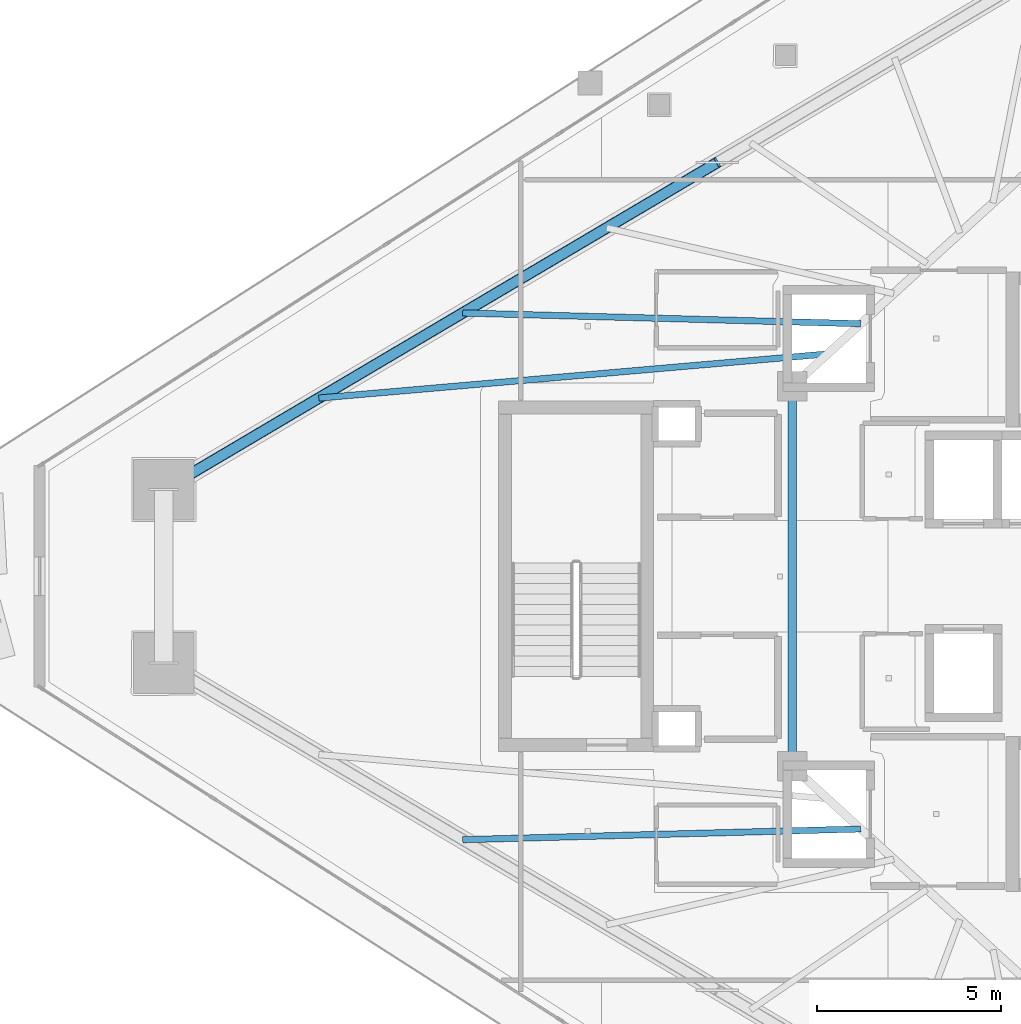
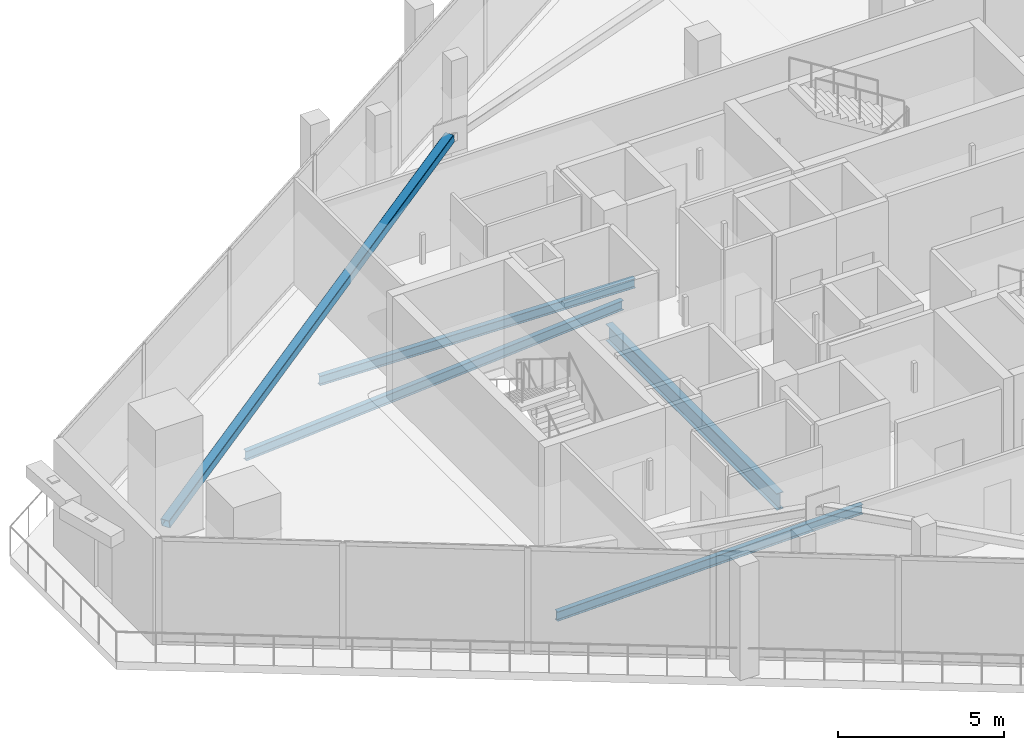
# One storey, part 9 of 34: 4 beams, 1 member.
"""IFC4 building model written with IfcOpenShell, lengths in metres."""

from ifc_helpers import new_model, si_unit, direction, frame, origin, origin_2d, place, context, subcontext, project, spatial, hollow_rectangle, i_section, extrude, material, material_profile, profile_set, type_object, element, save


model = new_model("IFC4")

# Units and contexts
model_context = context("Model", 3, precision=1e-05, world=origin(), true_north=direction((0.0, 1.0)))
body_context = subcontext(model_context, "Body", "Model", "MODEL_VIEW")
ifc_project = project(units=[si_unit("LENGTHUNIT", "METRE"), si_unit("AREAUNIT", "SQUARE_METRE"), si_unit("VOLUMEUNIT", "CUBIC_METRE"), si_unit("PLANEANGLEUNIT", "RADIAN"), si_unit("MASSUNIT", "GRAM", prefix="KILO")], contexts=[model_context])

# Site, building, storey
site_placement = place(None, origin())
site = spatial("IfcSite", under=ifc_project, at=site_placement, CompositionType="ELEMENT")
building_placement = place(site_placement, origin())
building = spatial("IfcBuilding", under=site, at=building_placement, Name="Qorvath Tower", CompositionType="ELEMENT")
storey_placement = place(building_placement, frame((0.0, 0.0, 276.60009765625)))
storey = spatial("IfcBuildingStorey", under=building, at=storey_placement, Name="L64", CompositionType="ELEMENT", Elevation=276.60009765625)

# Beams
ifc_material_1 = material(Name="Steel ASTM A992 Grade 50", Category="steel")
ifc_material_profile_1 = material_profile(ifc_material_1, i_section(OverallWidth=0.22998046875, OverallDepth=0.616943359375, WebThickness=0.01318359375, FlangeThickness=0.022216796875, FilletRadius=0.014892578125, at=origin_2d()), Name="W24x94")
ifc_profile_set_1 = profile_set([ifc_material_profile_1], Name="Steel ASTM A992 Grade 50")
beam_type_1 = type_object("IfcBeamType", Name="BM-FG6", PredefinedType="BEAM", material=ifc_profile_set_1)
beam_1_placement = place(storey_placement, frame((-30.5, -5.14990234375, -0.598388671875), z_axis=(0.0, 1.0, 0.0), x_axis=(-1.0, 0.0, 0.0)))
element("IfcBeam", 1, at=beam_1_placement, inside=storey, type_object=beam_type_1, Name="Core Ring Girder CC6-CC5 L64", PredefinedType="BEAM", context=body_context, shape_type="SweptSolid", body=[
    extrude(i_section(OverallWidth=0.22998046875, OverallDepth=0.616943359375, WebThickness=0.01318359375, FlangeThickness=0.022216796875, FilletRadius=0.014892578125, at=origin_2d()), origin(), (0.0, 0.0, 1.0), 10.2998046875),
])
ifc_material_2 = material(Name="Steel ASTM A992 Grade 50", Category="steel")
ifc_material_profile_2 = material_profile(ifc_material_2, i_section(OverallWidth=0.1708984375, OverallDepth=0.35107421875, WebThickness=0.0068359375, FlangeThickness=0.009765625, FilletRadius=0.010009765625, at=origin_2d()), Name="W14x30")
ifc_profile_set_2 = profile_set([ifc_material_profile_2], Name="Steel ASTM A992 Grade 50")
beam_type_2 = type_object("IfcBeamType", Name="BM-FJ4", PredefinedType="JOIST", material=ifc_profile_set_2)
beam_2_placement = place(storey_placement, frame((-29.533935546875, 6.031982421875, -0.465576171875), z_axis=(-0.996257895131, -0.086430355719, 0.0), x_axis=(0.086430355719, -0.996257895131, 0.0)))
element("IfcBeam", 2, at=beam_2_placement, inside=storey, type_object=beam_type_2, Name="Composite Floor Joist NW1 L64", PredefinedType="JOIST", context=body_context, shape_type="SweptSolid", body=[
    extrude(i_section(OverallWidth=0.1708984375, OverallDepth=0.35107421875, WebThickness=0.0068359375, FlangeThickness=0.009765625, FilletRadius=0.010009765625, at=origin_2d()), origin(), (0.0, 0.0, 1.0), 13.852294921875),
])
for number, where, z_axis, x_axis, name in (
    (3, (-28.636962890625, 6.85107421875, -0.465576171875), (-0.999635580213, 0.026994569327, 0.0), (-0.026994569327, -0.999635580213, 0.0), "Composite Floor Joist NW2 L64"),
    (4, (-28.636962890625, -6.85107421875, -0.465576171875), (-0.999635580213, -0.026994569327, 0.0), (0.026994569327, -0.999635580213, 0.0), "Composite Floor Joist SW2 L64"),
):
    element("IfcBeam", number, at=place(storey_placement, frame(where, z_axis=z_axis, x_axis=x_axis)), inside=storey, type_object=beam_type_2, Name=name, PredefinedType="JOIST", context=body_context, shape_type="SweptSolid", body=[
        extrude(i_section(OverallWidth=0.1708984375, OverallDepth=0.35107421875, WebThickness=0.0068359375, FlangeThickness=0.009765625, FilletRadius=0.010009765625, at=origin_2d()), origin(), (0.0, 0.0, 1.0), 10.798583984375),
    ])

# Member
ifc_material_3 = material(Name="Steel ASTM A500 Grade C", Category="steel")
ifc_material_profile_3 = material_profile(ifc_material_3, hollow_rectangle(XDim=0.3046875, YDim=0.3046875, WallThickness=0.0126953125, InnerFilletRadius=0.0126953125, OuterFilletRadius=0.025390625, at=origin_2d()), Name="HSS 305x305x12.7")
ifc_profile_set_3 = profile_set([ifc_material_profile_3], Name="Steel ASTM A500 Grade C")
member_type = type_object("IfcMemberType", Name="MEM-MB3", PredefinedType="BRACE", material=ifc_profile_set_3)
member_placement = place(storey_placement, frame((-47.53759765625, 2.349609375, 0.0), z_axis=(0.843387110602, 0.498693694284, 0.20000695226), x_axis=(-0.508977857602, 0.860779612021, 0.0)))
element("IfcMember", 5, at=member_placement, inside=storey, type_object=member_type, Name="Perimeter Chevron Brace L64-1B", PredefinedType="BRACE", context=body_context, shape_type="SweptSolid", body=[
    extrude(hollow_rectangle(XDim=0.3046875, YDim=0.3046875, WallThickness=0.0126953125, InnerFilletRadius=0.0126953125, OuterFilletRadius=0.025390625, at=origin_2d()), origin(), (0.0, 0.0, 1.0), 17.79833984375),
])

save(model, "model.ifc")
